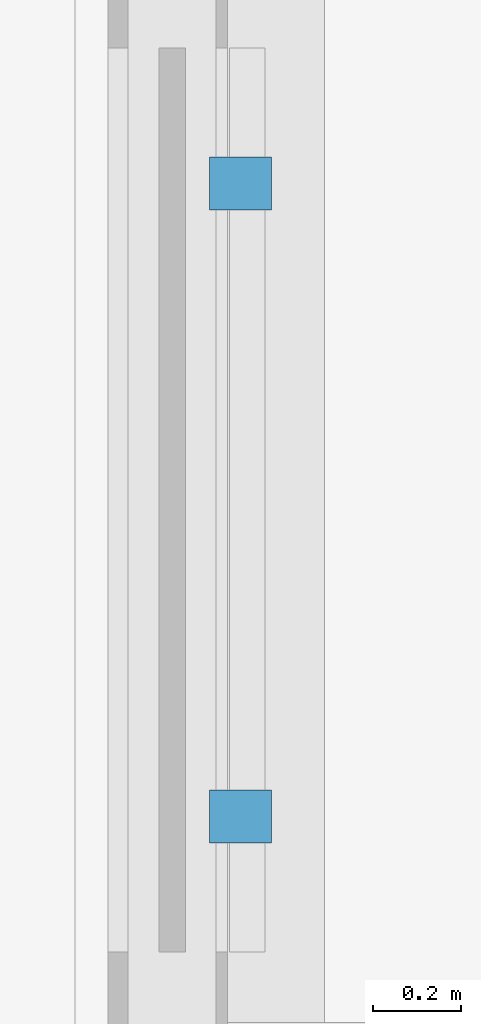
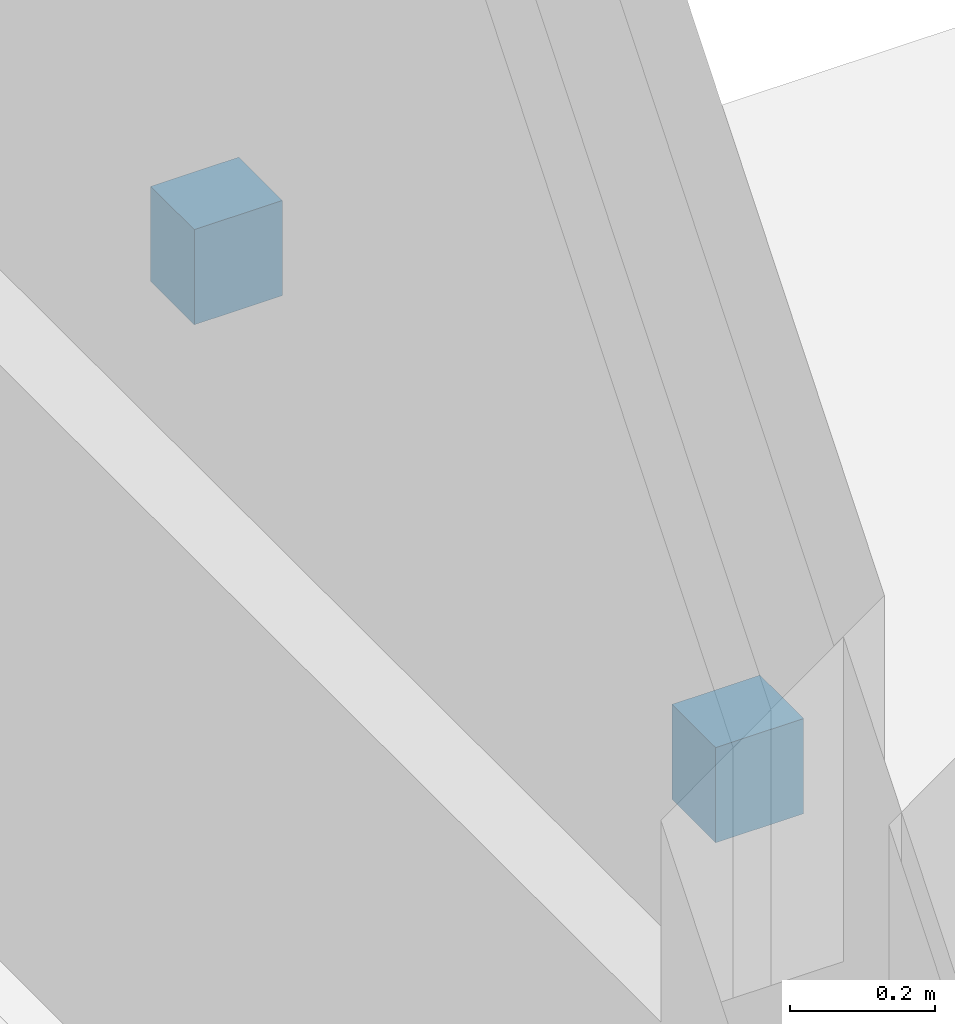
# One storey, part 48 of 57: 2 discrete accessories.
"""IFC4 building model written with IfcOpenShell, lengths in metres."""

from ifc_helpers import new_model, si_unit, direction, frame, origin, origin_2d, place, context, subcontext, project, spatial, rectangle, extrude, material, type_object, element, save


model = new_model("IFC4")

# Units and contexts
model_context = context("Model", 3, precision=1e-05, world=origin(), true_north=direction((0.0, 1.0)))
body_context = subcontext(model_context, "Body", "Model", "MODEL_VIEW")
ifc_project = project(units=[si_unit("LENGTHUNIT", "METRE"), si_unit("AREAUNIT", "SQUARE_METRE"), si_unit("VOLUMEUNIT", "CUBIC_METRE"), si_unit("PLANEANGLEUNIT", "RADIAN"), si_unit("MASSUNIT", "GRAM", prefix="KILO")], contexts=[model_context])

# Site, building, storey
site_placement = place(None, origin())
site = spatial("IfcSite", under=ifc_project, at=site_placement, CompositionType="ELEMENT")
building_placement = place(site_placement, origin())
building = spatial("IfcBuilding", under=site, at=building_placement, Name="Hawrajan Terrace Health Centre", CompositionType="ELEMENT")
storey_placement = place(building_placement, frame((0.0, 0.0, 13.199951171875)))
storey = spatial("IfcBuildingStorey", under=building, at=storey_placement, Name="L03", CompositionType="ELEMENT", Elevation=13.199951171875)

# Discrete accessories
ifc_material = material(Name="Steel S355", Category="steel")
discrete_accessory_type = type_object("IfcDiscreteAccessoryType", Name="FacadeBracket_S355", PredefinedType="BRACKET", material=ifc_material)
for number, where, z_axis, x_axis, name in (
    (1, (62.35498046875, 57.007568359375, 1.0703125), (0.0, 0.0, 1.0), (0.0, 1.0, 0.0), "Roshan support bracket BRK-L03-229-1"),
    (2, (62.35498046875, 58.4423828125, 1.0703125), (0.0, 0.0, 1.0), (0.0, 1.0, 0.0), "Roshan support bracket BRK-L03-229-2"),
):
    element("IfcDiscreteAccessory", number, at=place(storey_placement, frame(where, z_axis=z_axis, x_axis=x_axis)), inside=storey, type_object=discrete_accessory_type, Name=name, PredefinedType="BRACKET", context=body_context, shape_type="SweptSolid", body=[
        extrude(rectangle(XDim=0.1201171875, YDim=0.139892578125, at=origin_2d()), origin(), (0.0, 0.0, 1.0), 0.159912109375),
    ])

save(model, "model.ifc")
